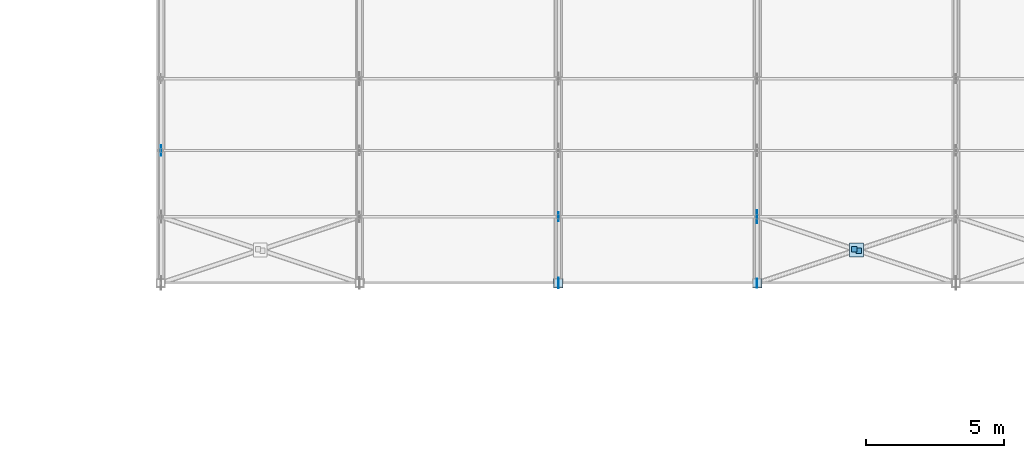
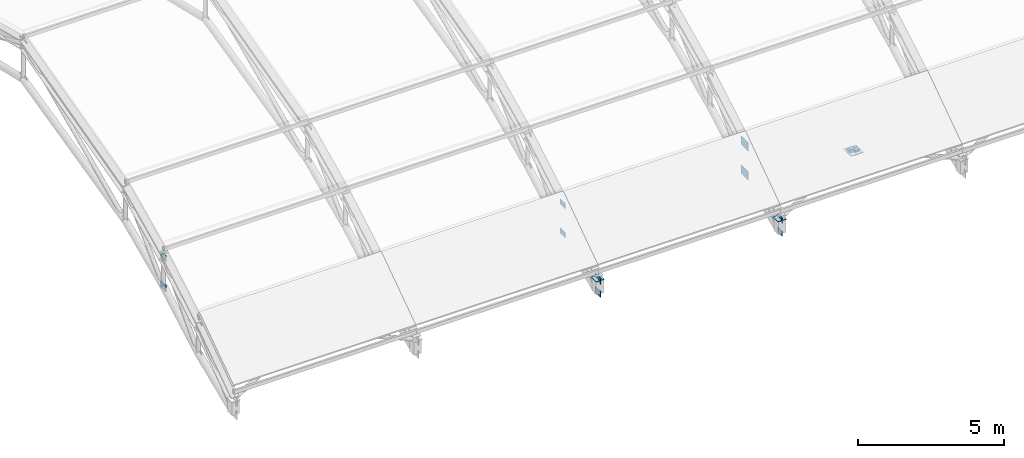
# One storey, part 38 of 63: 15 plates.
"""IFC4 building model written with IfcOpenShell, lengths in metres."""

from ifc_helpers import new_model, si_unit, direction, frame, origin, origin_2d, place, context, subcontext, project, spatial, rectangle, extrude, material, layer, layer_set, type_object, element, save


model = new_model("IFC4")

# Units and contexts
model_context = context("Model", 3, precision=1e-05, world=origin(), true_north=direction((0.0, 1.0)))
body_context = subcontext(model_context, "Body", "Model", "MODEL_VIEW")
ifc_project = project(units=[si_unit("LENGTHUNIT", "METRE"), si_unit("AREAUNIT", "SQUARE_METRE"), si_unit("VOLUMEUNIT", "CUBIC_METRE"), si_unit("PLANEANGLEUNIT", "RADIAN"), si_unit("MASSUNIT", "GRAM", prefix="KILO")], contexts=[model_context])

# Site, building, storey
site_placement = place(None, origin())
site = spatial("IfcSite", under=ifc_project, at=site_placement, CompositionType="ELEMENT")
building_placement = place(site_placement, origin())
building = spatial("IfcBuilding", under=site, at=building_placement, Name="Solvadek Multi-Sports Hall", CompositionType="ELEMENT")
storey_placement = place(building_placement, frame((0.0, 0.0, 19.199951171875)))
storey = spatial("IfcBuildingStorey", under=building, at=storey_placement, Name="RF", CompositionType="ELEMENT", Elevation=19.199951171875)

# Plates
ifc_material = material(Name="Steel E350 (350 MPa)", Category="steel")
ifc_layer_1 = layer(ifc_material, 0.01611328125, Name="Steel E350 (350 MPa)")
ifc_layer_set_1 = layer_set([ifc_layer_1], Name="Steel E350 (350 MPa)")
plate_type_1 = type_object("IfcPlateType", Name="STR-PLT-CAP16", PredefinedType="USERDEFINED", material=ifc_layer_set_1)
for number, where, z_axis, x_axis, name in (
    (1, (46.718505859375, 50.42724609375, -3.50341796875), (0.0, 0.0, 1.0), (1.0, 0.0, 0.0), "V4 Half-Brace End Cap #44"),
    (2, (46.881591796875, 50.372802734375, -3.541015625), (0.0, 0.0, 1.0), (1.0, 0.0, 0.0), "V4 Half-Brace End Cap #45"),
):
    element("IfcPlate", number, at=place(storey_placement, frame(where, z_axis=z_axis, x_axis=x_axis)), inside=storey, type_object=plate_type_1, Name=name, ObjectType="BASE_PLATE", PredefinedType="USERDEFINED", context=body_context, shape_type="SweptSolid", body=[
        extrude(rectangle(XDim=0.18994140625, YDim=0.18994140625, at=origin_2d()), origin(), (0.0, 0.0, 1.0), 0.2099609375),
    ])
ifc_layer_2 = layer(ifc_material, 0.02001953125, Name="Steel E350 (350 MPa)")
ifc_layer_set_2 = layer_set([ifc_layer_2], Name="Steel E350 (350 MPa)")
plate_type_2 = type_object("IfcPlateType", Name="STR-PLT-CAP340", PredefinedType="USERDEFINED", material=ifc_layer_set_2)
for number, where, z_axis, x_axis, name in (
    (3, (36.0, 49.199951171875, -4.25), (0.0, 0.0, 1.0), (1.0, 0.0, 0.0), "v4 Bearing Post Cap #3.0"),
    (4, (43.199951171875, 49.199951171875, -4.25), (0.0, 0.0, 1.0), (1.0, 0.0, 0.0), "v4 Bearing Post Cap #4.0"),
):
    element("IfcPlate", number, at=place(storey_placement, frame(where, z_axis=z_axis, x_axis=x_axis)), inside=storey, type_object=plate_type_2, Name=name, ObjectType="BASE_PLATE", PredefinedType="USERDEFINED", context=body_context, shape_type="SweptSolid", body=[
        extrude(rectangle(XDim=0.340087890625, YDim=0.340087890625, at=origin_2d()), origin(), (0.0, 0.0, 1.0), 0.02001953125),
    ])
ifc_layer_3 = layer(ifc_material, 0.02001953125, Name="Steel E350 (350 MPa)")
ifc_layer_set_3 = layer_set([ifc_layer_3], Name="Steel E350 (350 MPa)")
plate_type_3 = type_object("IfcPlateType", Name="STR-PLT-GP20", PredefinedType="USERDEFINED", material=ifc_layer_set_3)
plate_placement = place(storey_placement, frame((46.800048828125, 50.39990234375, -3.42724609375), z_axis=(0.0, 0.0, 1.0), x_axis=(1.0, 0.0, 0.0)))
element("IfcPlate", 5, at=plate_placement, inside=storey, type_object=plate_type_3, Name="V4 Roof X-Brace Crossing Gusset #261", ObjectType="GUSSET_PLATE", PredefinedType="USERDEFINED", context=body_context, shape_type="SweptSolid", body=[
    extrude(rectangle(XDim=0.5, YDim=0.5, at=origin_2d()), origin(), (0.0, 0.0, 1.0), 0.02001953125),
])
ifc_layer_4 = layer(ifc_material, 0.013916015625, Name="Steel E350 (350 MPa)")
ifc_layer_set_4 = layer_set([ifc_layer_4], Name="Steel E350 (350 MPa)")
plate_type_4 = type_object("IfcPlateType", Name="STR-PLT-GUS330", PredefinedType="USERDEFINED", material=ifc_layer_set_4)
for number, where, z_axis, x_axis, name in (
    (6, (36.0, 51.60009765625, -2.6943359375), (0.0, 0.0, 1.0), (0.0, 1.0, 0.0), "V4 Truss Top Gusset Plate #189"),
    (7, (36.0, 51.60009765625, -3.90283203125), (0.0, 0.0, 1.0), (0.0, 1.0, 0.0), "V4 Truss Bottom Gusset Plate #190"),
    (8, (43.199951171875, 49.199951171875, -4.35986328125), (0.0, 0.0, 1.0), (0.0, 1.0, 0.0), "V4 Truss Top Gusset Plate #205"),
    (9, (43.199951171875, 49.199951171875, -4.91015625), (0.0, 0.0, 1.0), (0.0, 1.0, 0.0), "V4 Truss Bottom Gusset Plate #206"),
):
    element("IfcPlate", number, at=place(storey_placement, frame(where, z_axis=z_axis, x_axis=x_axis)), inside=storey, type_object=plate_type_4, Name=name, ObjectType="GUSSET_PLATE", PredefinedType="USERDEFINED", context=body_context, shape_type="SweptSolid", body=[
        extrude(rectangle(XDim=0.330078125, YDim=0.013916015625, at=origin_2d()), origin(), (0.0, 0.0, 1.0), 0.219970703125),
    ])
ifc_layer_5 = layer(ifc_material, 0.01611328125, Name="Steel E350 (350 MPa)")
ifc_layer_set_5 = layer_set([ifc_layer_5], Name="Steel E350 (350 MPa)")
plate_type_5 = type_object("IfcPlateType", Name="STR-PLT-GUS380", PredefinedType="USERDEFINED", material=ifc_layer_set_5)
for number, where, z_axis, x_axis, name in (
    (10, (21.60009765625, 54.0, -1.30517578125), (0.0, 0.0, 1.0), (0.0, 1.0, 0.0), "V4 Truss Top Gusset Plate #155"),
    (11, (21.60009765625, 54.0, -2.57177734375), (0.0, 0.0, 1.0), (0.0, 1.0, 0.0), "V4 Truss Bottom Gusset Plate #156"),
    (12, (36.0, 49.199951171875, -4.3798828125), (0.0, 0.0, 1.0), (0.0, 1.0, 0.0), "V4 Truss Top Gusset Plate #187"),
    (13, (36.0, 49.199951171875, -4.93017578125), (0.0, 0.0, 1.0), (0.0, 1.0, 0.0), "V4 Truss Bottom Gusset Plate #188"),
):
    element("IfcPlate", number, at=place(storey_placement, frame(where, z_axis=z_axis, x_axis=x_axis)), inside=storey, type_object=plate_type_5, Name=name, ObjectType="GUSSET_PLATE", PredefinedType="USERDEFINED", context=body_context, shape_type="SweptSolid", body=[
        extrude(rectangle(XDim=0.3798828125, YDim=0.01611328125, at=origin_2d()), origin(), (0.0, 0.0, 1.0), 0.260009765625),
    ])
ifc_layer_6 = layer(ifc_material, 0.02001953125, Name="Steel E350 (350 MPa)")
ifc_layer_set_6 = layer_set([ifc_layer_6], Name="Steel E350 (350 MPa)")
plate_type_6 = type_object("IfcPlateType", Name="STR-PLT-GUS480", PredefinedType="USERDEFINED", material=ifc_layer_set_6)
for number, where, z_axis, x_axis, name in (
    (14, (43.199951171875, 51.60009765625, -2.75439453125), (0.0, 0.0, 1.0), (0.0, 1.0, 0.0), "V4 Truss Top Gusset Plate #207"),
    (15, (43.199951171875, 51.60009765625, -3.962890625), (0.0, 0.0, 1.0), (0.0, 1.0, 0.0), "V4 Truss Bottom Gusset Plate #208"),
):
    element("IfcPlate", number, at=place(storey_placement, frame(where, z_axis=z_axis, x_axis=x_axis)), inside=storey, type_object=plate_type_6, Name=name, ObjectType="GUSSET_PLATE", PredefinedType="USERDEFINED", context=body_context, shape_type="SweptSolid", body=[
        extrude(rectangle(XDim=0.47998046875, YDim=0.02001953125, at=origin_2d()), origin(), (0.0, 0.0, 1.0), 0.340087890625),
    ])

save(model, "model.ifc")
